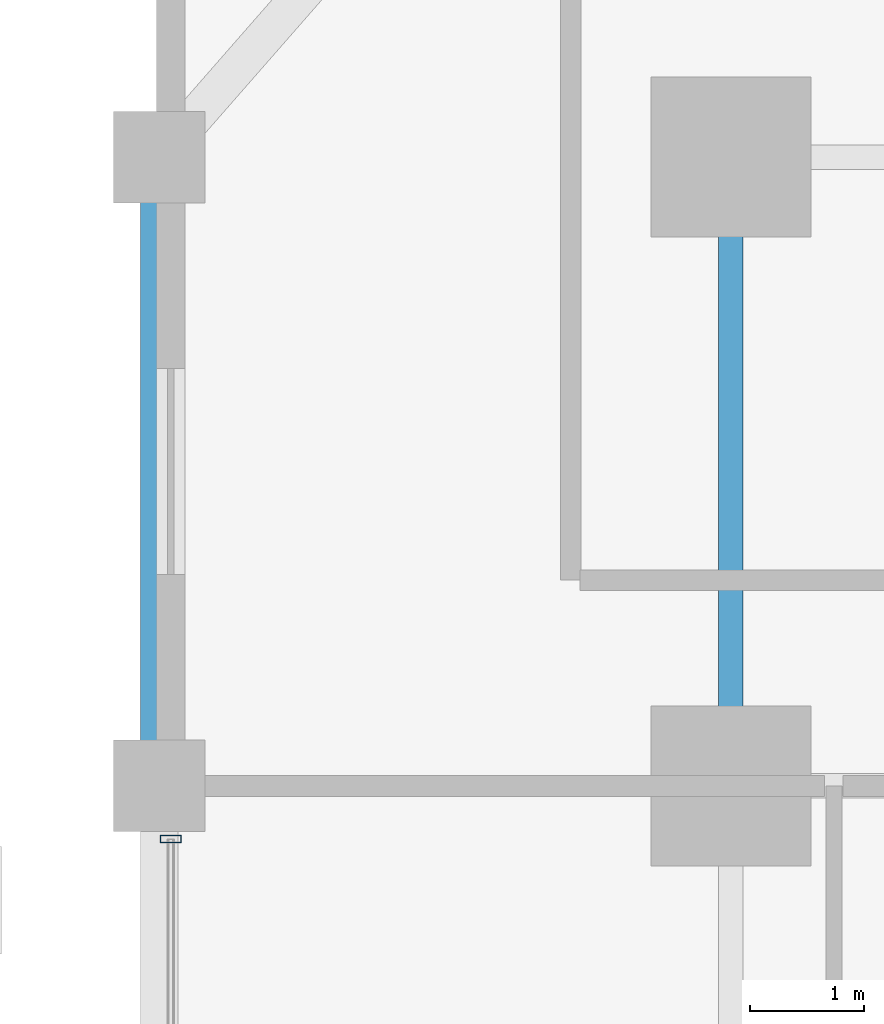
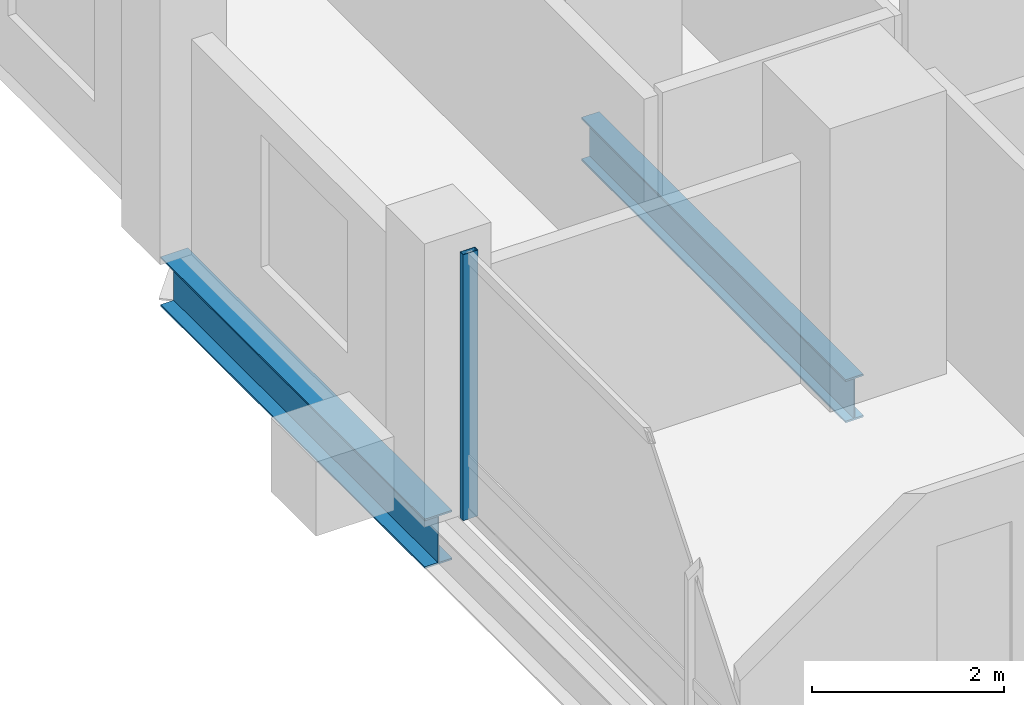
# One storey, part 11 of 24: 2 beams, 1 member, 1 element without a shape of its own.
"""IFC4 building model written with IfcOpenShell, lengths in metres."""

from ifc_helpers import new_model, si_unit, direction, frame, origin, origin_2d, place, context, subcontext, project, spatial, hollow_rectangle, i_section, extrude, material, layer, layer_set, material_profile, profile_set, type_object, element, aggregate, save


model = new_model("IFC4")

# Units and contexts
model_context = context("Model", 3, precision=1e-05, world=origin(), true_north=direction((0.0, 1.0)))
body_context = subcontext(model_context, "Body", "Model", "MODEL_VIEW")
ifc_project = project(units=[si_unit("LENGTHUNIT", "METRE"), si_unit("AREAUNIT", "SQUARE_METRE"), si_unit("VOLUMEUNIT", "CUBIC_METRE"), si_unit("PLANEANGLEUNIT", "RADIAN"), si_unit("MASSUNIT", "GRAM", prefix="KILO")], contexts=[model_context])

# Site, building, storey
site_placement = place(None, origin())
site = spatial("IfcSite", under=ifc_project, at=site_placement, CompositionType="ELEMENT")
building_placement = place(site_placement, origin())
building = spatial("IfcBuilding", under=site, at=building_placement, Name="Barlavira Tower and Art Museum", CompositionType="ELEMENT")
storey_placement = place(building_placement, frame((0.0, 0.0, 43.199951171875)))
storey = spatial("IfcBuildingStorey", under=building, at=storey_placement, Name="L09", CompositionType="ELEMENT", Elevation=43.199951171875)

# Curtain wall, member
ifc_material_1 = material(Name="Low-iron coastal laminated glass", Category="glass")
ifc_layer = layer(ifc_material_1, 0.179931640625, Name="Low-iron coastal laminated glass")
ifc_layer_set = layer_set([ifc_layer], Name="Low-iron coastal laminated glass")
curtain_wall_type = type_object("IfcCurtainWallType", Name="Pale-Metal Unitised Curtain Wall Zone 1", PredefinedType="NOTDEFINED", material=ifc_layer_set)
curtain_wall_placement = place(storey_placement, origin())
curtain_wall = element("IfcCurtainWall", 1, at=curtain_wall_placement, inside=storey, type_object=curtain_wall_type, Name="L09 Curtain Wall CW1-L09-W-B3", PredefinedType="NOTDEFINED")
ifc_material_2 = material(Name="Pale anodised aluminium", Category="aluminium")
ifc_material_profile_1 = material_profile(ifc_material_2, hollow_rectangle(XDim=0.06494140625, YDim=0.179931640625, WallThickness=0.00390625, at=origin_2d()), Name="ALU-MULL 65x180x4")
ifc_profile_set_1 = profile_set([ifc_material_profile_1], Name="Pale anodised aluminium")
member_type = type_object("IfcMemberType", Name="Curtain Wall Pale-Metal Mullion 65x180", PredefinedType="MULLION", material=ifc_profile_set_1)
member_placement = place(storey_placement, frame((-21.89990234375, 7.034912109375, 0.0), z_axis=(0.0, 0.0, 1.0), x_axis=(0.0, -1.0, 0.0)))
member = element("IfcMember", 2, at=member_placement, type_object=member_type, Name="CW1-L09-W-B3 Mullion 0", PredefinedType="MULLION", context=body_context, shape_type="SweptSolid", body=[
    extrude(hollow_rectangle(XDim=0.06494140625, YDim=0.179931640625, WallThickness=0.00390625, at=origin_2d()), origin(), (0.0, 0.0, 1.0), 3.380126953125),
])
aggregate(curtain_wall, [member])

# Beams
ifc_material_3 = material(Name="Steel S355", Category="steel")
ifc_material_profile_2 = material_profile(ifc_material_3, i_section(OverallWidth=0.327880859375, OverallDepth=0.62890625, WebThickness=0.013916015625, FlangeThickness=0.021484375, at=origin_2d()), Name="W610x174.0")
ifc_profile_set_2 = profile_set([ifc_material_profile_2], Name="Steel S355")
beam_type_1 = type_object("IfcBeamType", Name="Perimeter Spandrel Edge Beam W610x174 Steel S355", PredefinedType="SPANDREL", material=ifc_profile_set_2)
beam_1_placement = place(storey_placement, frame((-22.0, 7.5, -0.534423828125), z_axis=(0.0, 1.0, 0.0), x_axis=(-1.0, 0.0, 0.0)))
element("IfcBeam", 3, at=beam_1_placement, inside=storey, type_object=beam_type_1, Name="L09 Spandrel 13", PredefinedType="SPANDREL", context=body_context, shape_type="SweptSolid", body=[
    extrude(i_section(OverallWidth=0.327880859375, OverallDepth=0.62890625, WebThickness=0.013916015625, FlangeThickness=0.021484375, at=origin_2d()), origin(), (0.0, 0.0, 1.0), 5.5),
])
ifc_material_profile_3 = material_profile(ifc_material_3, i_section(OverallWidth=0.214111328125, OverallDepth=0.549072265625, WebThickness=0.0146484375, FlangeThickness=0.023681640625, at=origin_2d()), Name="W530x138.0")
ifc_profile_set_3 = profile_set([ifc_material_profile_3], Name="Steel S355")
beam_type_2 = type_object("IfcBeamType", Name="Zone 1 Primary Floor Girder W530x138 Steel S355", PredefinedType="BEAM", material=ifc_profile_set_3)
beam_2_placement = place(storey_placement, frame((-17.0, 7.5, -0.494384765625), z_axis=(0.0, 1.0, 0.0), x_axis=(-1.0, 0.0, 0.0)))
element("IfcBeam", 4, at=beam_2_placement, inside=storey, type_object=beam_type_2, Name="L09 Girder M-W3", PredefinedType="BEAM", context=body_context, shape_type="SweptSolid", body=[
    extrude(i_section(OverallWidth=0.214111328125, OverallDepth=0.549072265625, WebThickness=0.0146484375, FlangeThickness=0.023681640625, at=origin_2d()), origin(), (0.0, 0.0, 1.0), 5.5),
])

save(model, "model.ifc")
